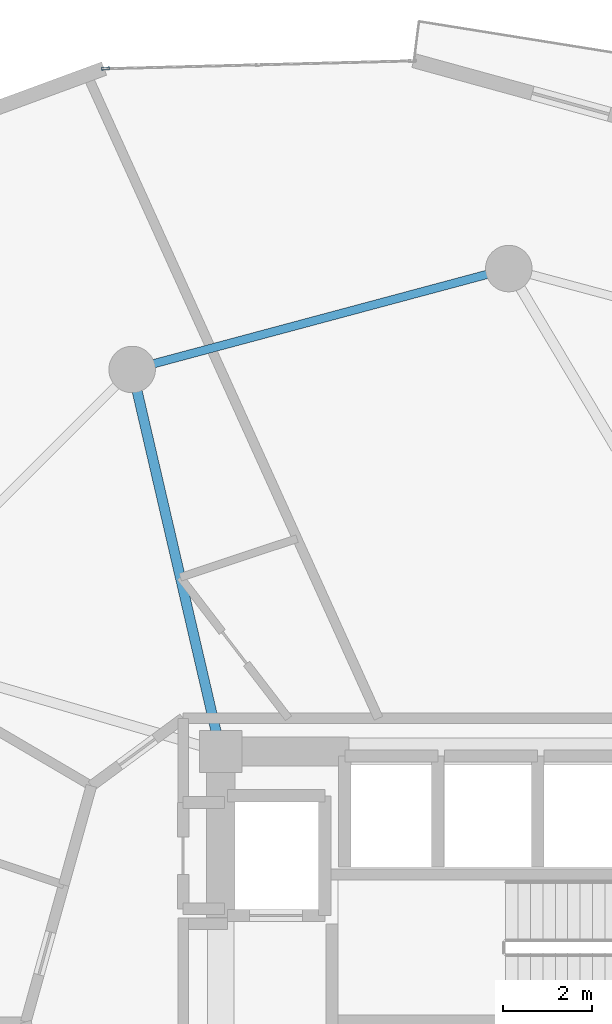
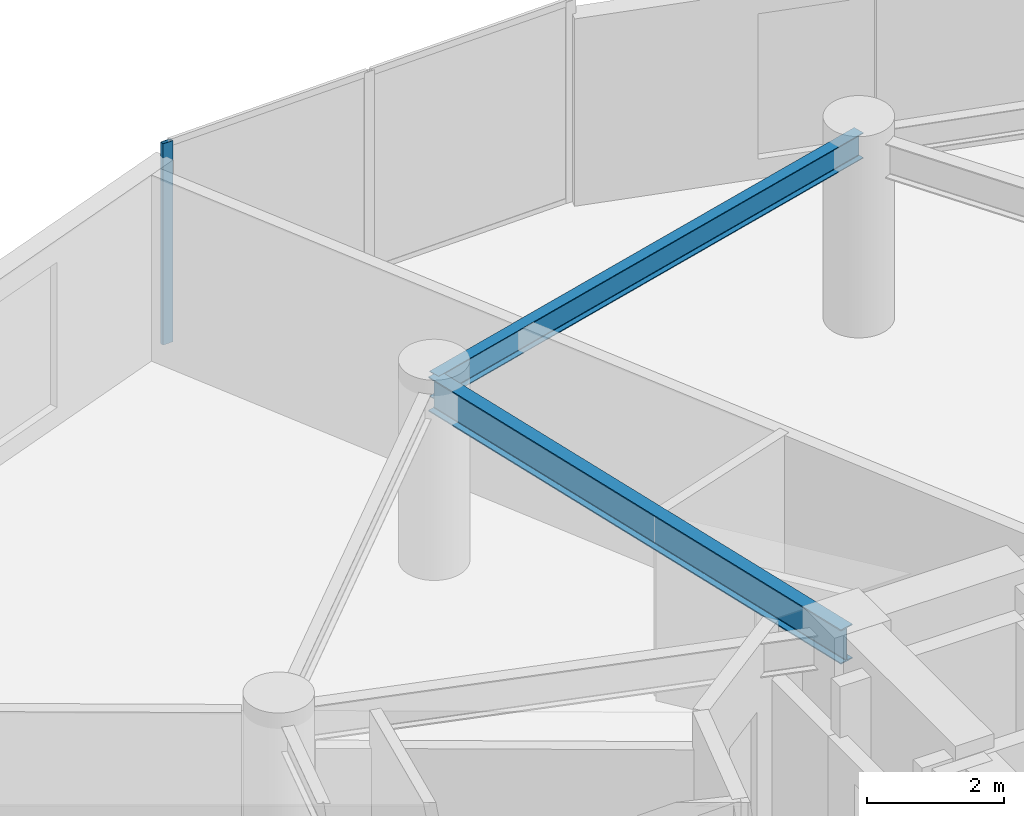
# One storey, part 16 of 25: 2 beams, 1 member, 1 element without a shape of its own.
"""IFC4 building model written with IfcOpenShell, lengths in metres."""

from ifc_helpers import new_model, si_unit, direction, frame, origin, origin_2d, place, context, subcontext, project, spatial, hollow_rectangle, i_section, extrude, source, transform, mapped, material, layer, layer_set, material_profile, profile_set, type_object, element, aggregate, save


model = new_model("IFC4")

# Units and contexts
model_context = context("Model", 3, precision=1e-05, world=origin(), true_north=direction((0.0, 1.0)))
body_context = subcontext(model_context, "Body", "Model", "MODEL_VIEW")
ifc_project = project(units=[si_unit("LENGTHUNIT", "METRE"), si_unit("AREAUNIT", "SQUARE_METRE"), si_unit("VOLUMEUNIT", "CUBIC_METRE"), si_unit("PLANEANGLEUNIT", "RADIAN"), si_unit("MASSUNIT", "GRAM", prefix="KILO")], contexts=[model_context])

# Site, building, storey
site_placement = place(None, origin())
site = spatial("IfcSite", under=ifc_project, at=site_placement, CompositionType="ELEMENT")
building_placement = place(site_placement, origin())
building = spatial("IfcBuilding", under=site, at=building_placement, Name="Solvirekh Grand Hotel", CompositionType="ELEMENT")
storey_placement = place(building_placement, frame((0.0, 0.0, 127.800048828125)))
storey = spatial("IfcBuildingStorey", under=building, at=storey_placement, Name="L32", CompositionType="ELEMENT", Elevation=127.800048828125)

# Beams
ifc_material_1 = material(Name="Steel S355", Category="steel")
ifc_material_profile_1 = material_profile(ifc_material_1, i_section(OverallWidth=0.22802734375, OverallDepth=0.616943359375, WebThickness=0.012939453125, FlangeThickness=0.02001953125, FilletRadius=0.014892578125, at=origin_2d()), Name="W610X140")
ifc_profile_set_1 = profile_set([ifc_material_profile_1], Name="Steel S355")
beam_type_1 = type_object("IfcBeamType", Name="Beam_Radial_W610", PredefinedType="BEAM", material=ifc_profile_set_1)
beam_1_placement = place(storey_placement, frame((-6.5, 6.10009765625, 3.041015625), z_axis=(-0.225969390542, 0.974134402707, 0.0), x_axis=(-0.974134402707, -0.225969390542, 0.0)))
element("IfcBeam", 1, at=beam_1_placement, inside=storey, type_object=beam_type_1, Name="L32 radial floor beam R05", PredefinedType="BEAM", context=body_context, shape_type="SweptSolid", body=[
    extrude(i_section(OverallWidth=0.22802734375, OverallDepth=0.616943359375, WebThickness=0.012939453125, FlangeThickness=0.02001953125, FilletRadius=0.014892578125, at=origin_2d()), origin(), (0.0, 0.0, 1.0), 8.850830078125),
])
ifc_material_profile_2 = material_profile(ifc_material_1, i_section(OverallWidth=0.18994140625, OverallDepth=0.45703125, WebThickness=0.009033203125, FlangeThickness=0.013916015625, FilletRadius=0.012939453125, at=origin_2d()), Name="W460X74")
ifc_profile_set_2 = profile_set([ifc_material_profile_2], Name="Steel S355")
beam_type_2 = type_object("IfcBeamType", Name="Spandrel_Ring_W460", PredefinedType="SPANDREL", material=ifc_profile_set_2)
beam_2_placement = place(storey_placement, frame((0.0, 17.0, 3.1220703125), z_axis=(-0.965911391906, -0.258872908946, 0.0), x_axis=(0.258872908946, -0.965911391906, 0.0)))
element("IfcBeam", 2, at=beam_2_placement, inside=storey, type_object=beam_type_2, Name="L32 perimeter spandrel beam 4", PredefinedType="SPANDREL", context=body_context, shape_type="SweptSolid", body=[
    extrude(i_section(OverallWidth=0.18994140625, OverallDepth=0.45703125, WebThickness=0.009033203125, FlangeThickness=0.013916015625, FilletRadius=0.012939453125, at=origin_2d()), origin(), (0.0, 0.0, 1.0), 8.800048828125),
])

# Curtain wall, member
ifc_material_2 = material(Name="Anodized Bronze Aluminium 6063-T6", Category="aluminium")
ifc_layer = layer(ifc_material_2, 0.175048828125)
ifc_layer_set = layer_set([ifc_layer], Name="Anodized Bronze Aluminium 6063-T6")
curtain_wall_type = type_object("IfcCurtainWallType", Name="CW_Sys3_MidZoneFlushBronzeCW", PredefinedType="NOTDEFINED", material=ifc_layer_set)
curtain_wall_placement = place(storey_placement, origin())
curtain_wall = element("IfcCurtainWall", 3, at=curtain_wall_placement, inside=storey, type_object=curtain_wall_type, Name="L32 unitised bronze-glass curtain wall CW-L32-C08", PredefinedType="NOTDEFINED")
ifc_material_profile_3 = material_profile(ifc_material_2, hollow_rectangle(XDim=0.06494140625, YDim=0.175048828125, WallThickness=0.0048828125, at=origin_2d()), Name="ALU RHS 175X65X5")
ifc_profile_set_3 = profile_set([ifc_material_profile_3], Name="Anodized Bronze Aluminium 6063-T6")
member_type = type_object("IfcMemberType", Name="CWMullion_Sys3", PredefinedType="MULLION", material=ifc_profile_set_3)
shared_shape = source(origin(), body_context, "Body", "SweptSolid", [
    extrude(hollow_rectangle(XDim=0.06494140625, YDim=0.175048828125, WallThickness=0.0048828125, at=origin_2d()), origin(), (0.0, 0.0, 1.0), 3.599853515625),
])
member_placement = place(storey_placement, frame((-9.099609375, 21.514892578125, 0.0), z_axis=(0.0, 0.0, 1.0), x_axis=(0.025610603562, -0.999671994699, 0.0)))
member = element("IfcMember", 4, at=member_placement, type_object=member_type, Name="U03 mullion 3", PredefinedType="MULLION", context=body_context, shape_type="MappedRepresentation", body=[
    mapped(shared_shape, transform((0.0, 0.0, 0.0), x_axis=(1.0, 0.0, 0.0), y_axis=(0.0, 1.0, 0.0), z_axis=(0.0, 0.0, 1.0), scale=1.0)),
])
aggregate(curtain_wall, [member])

save(model, "model.ifc")
